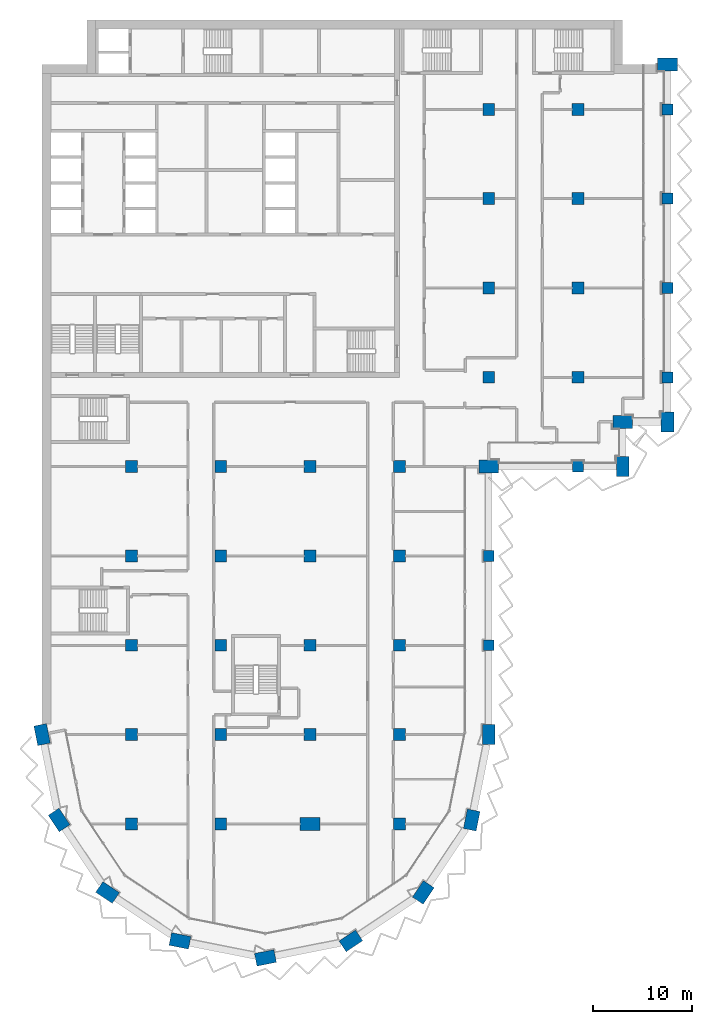
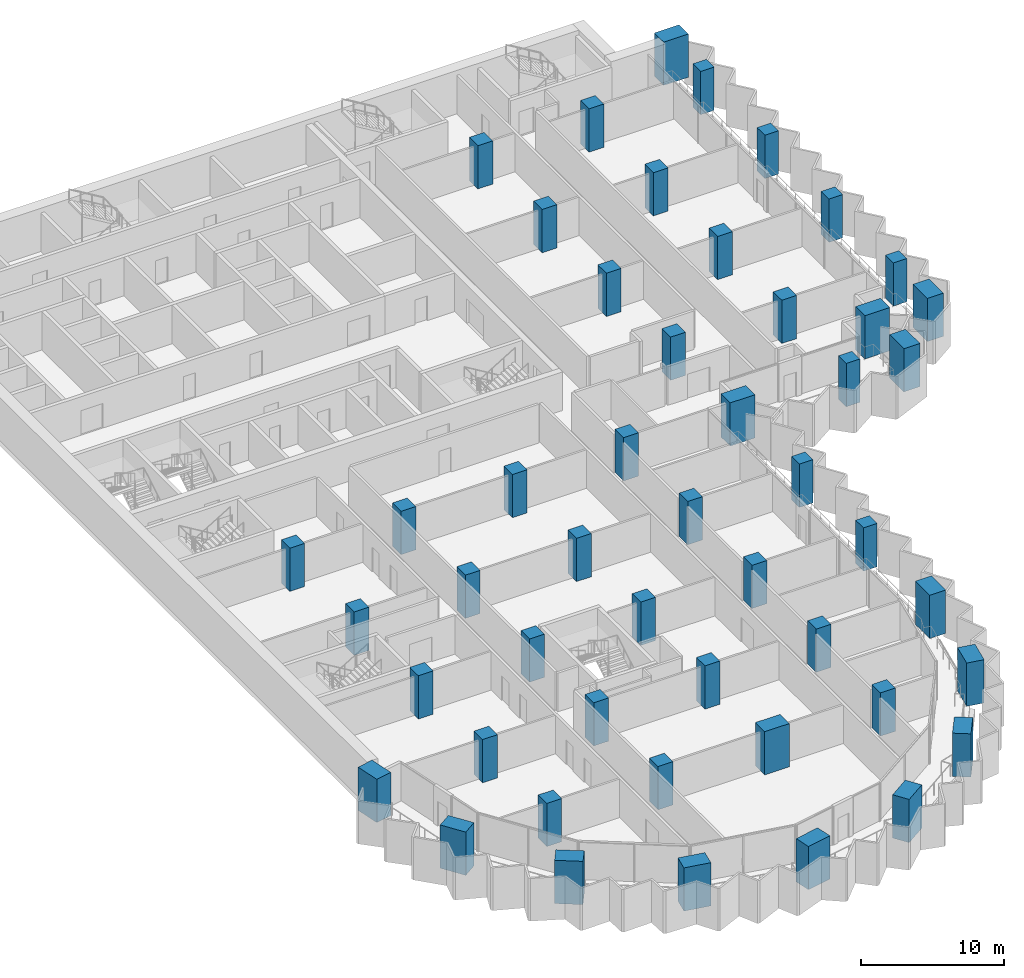
# One storey, part 1 of 22: 49 columns.
"""IFC4 building model written with IfcOpenShell, lengths in metres."""

from ifc_helpers import new_model, si_unit, direction, frame, origin, origin_2d, place, context, subcontext, project, spatial, rectangle, extrude, material, material_profile, profile_set, type_object, element, save


model = new_model("IFC4")

# Units and contexts
model_context = context("Model", 3, precision=1e-05, world=origin(), true_north=direction((0.0, 1.0)))
body_context = subcontext(model_context, "Body", "Model", "MODEL_VIEW")
ifc_project = project(units=[si_unit("LENGTHUNIT", "METRE"), si_unit("AREAUNIT", "SQUARE_METRE"), si_unit("VOLUMEUNIT", "CUBIC_METRE"), si_unit("PLANEANGLEUNIT", "RADIAN"), si_unit("MASSUNIT", "GRAM", prefix="KILO")], contexts=[model_context])

# Site, building, storey
site_placement = place(None, origin())
site = spatial("IfcSite", under=ifc_project, at=site_placement, CompositionType="ELEMENT")
building_placement = place(site_placement, origin())
building = spatial("IfcBuilding", under=site, at=building_placement, Name="Hunhe Ridgeline Campus", CompositionType="ELEMENT")
storey_placement = place(building_placement, frame((0.0, 0.0, 137.5)))
storey = spatial("IfcBuildingStorey", under=building, at=storey_placement, Name="L34", CompositionType="ELEMENT", Elevation=137.5)

# Columns
ifc_material = material(Name="Concrete C70", Category="concrete")
ifc_material_profile_1 = material_profile(ifc_material, rectangle(XDim=2.0, YDim=1.300048828125, at=origin_2d()))
ifc_profile_set_1 = profile_set([ifc_material_profile_1], Name="Concrete C70")
column_type_1 = type_object("IfcColumnType", Name="Megacolumn 2000x1300 Concrete C70", PredefinedType="COLUMN", material=ifc_profile_set_1)
for number, where, z_axis, x_axis, name in (
    (1, (22.5, 4.5, 0.0), (0.0, 0.0, 1.0), (0.980785280403, 0.195090322016, 0.0), "Column C9 R1 L34"),
    (2, (13.8896484375, 6.212646484375, 0.0), (0.0, 0.0, 1.0), (-0.980785280403, 0.195090322016, 0.0), "Column C9 R2 L34"),
    (3, (31.1103515625, 6.212646484375, 0.0), (0.0, 0.0, 1.0), (0.831469612303, 0.55557023302, 0.0), "Column C9 R3 L34"),
    (4, (6.590087890625, 11.090087890625, 0.0), (0.0, 0.0, 1.0), (-0.831469612303, 0.55557023302, 0.0), "Column C9 R4 L34"),
    (5, (38.409912109375, 11.090087890625, 0.0), (0.0, 0.0, 1.0), (0.55557023302, 0.831469612303, 0.0), "Column C9 R5 L34"),
    (6, (1.712646484375, 18.3896484375, 0.0), (0.0, 0.0, 1.0), (-0.55557023302, 0.831469612303, 0.0), "Column C9 R9 L34"),
    (7, (43.287353515625, 18.3896484375, 0.0), (0.0, 0.0, 1.0), (0.195090322016, 0.980785280403, 0.0), "Column C9 R10 L34"),
    (8, (0.0, 27.0, 0.0), (0.0, 0.0, 1.0), (-0.195090322016, 0.980785280403, 0.0), "Column C9 D1 L34"),
    (9, (45.0, 27.0, 0.0), (0.0, 0.0, 1.0), (0.0, 1.0, 0.0), "Column C9 D6 L34"),
    (10, (45.0, 54.0, 0.0), (0.0, 0.0, 1.0), (1.0, 0.0, 0.0), "Column C9 G6 L34"),
    (11, (58.5, 54.0, 0.0), (0.0, 0.0, 1.0), (0.0, 1.0, 0.0), "Column C9 R30 L34"),
    (12, (58.5, 58.5, 0.0), (0.0, 0.0, 1.0), (1.0, 0.0, 0.0), "Column C9 R35 L34"),
    (13, (63.0, 58.5, 0.0), (0.0, 0.0, 1.0), (0.0, 1.0, 0.0), "Column C9 R36 L34"),
    (14, (63.0, 94.5, 0.0), (0.0, 0.0, 1.0), (1.0, 0.0, 0.0), "Column C9 R42 L34"),
    (15, (27.0, 18.0, 0.0), (0.0, 0.0, 1.0), (1.0, 0.0, 0.0), "Column C9 C4 L34"),
):
    element("IfcColumn", number, at=place(storey_placement, frame(where, z_axis=z_axis, x_axis=x_axis)), inside=storey, type_object=column_type_1, Name=name, PredefinedType="COLUMN", context=body_context, shape_type="SweptSolid", body=[
        extrude(rectangle(XDim=2.0, YDim=1.300048828125, at=origin_2d()), origin(), (0.0, 0.0, 1.0), 3.699951171875),
    ])
ifc_material_profile_2 = material_profile(ifc_material, rectangle(XDim=1.10009765625, YDim=1.10009765625, at=origin_2d()))
ifc_profile_set_2 = profile_set([ifc_material_profile_2], Name="Concrete C70")
column_type_2 = type_object("IfcColumnType", Name="RC column 1100x1100 Concrete C70", PredefinedType="COLUMN", material=ifc_profile_set_2)
for number, where, z_axis, x_axis, name in (
    (16, (45.0, 36.0, 0.0), (0.0, 0.0, 1.0), (1.0, 0.0, 0.0), "Column C10 E6 L34"),
    (17, (45.0, 45.0, 0.0), (0.0, 0.0, 1.0), (1.0, 0.0, 0.0), "Column C10 F6 L34"),
    (18, (54.0, 54.0, 0.0), (0.0, 0.0, 1.0), (1.0, 0.0, 0.0), "Column C10 G7 L34"),
    (19, (63.0, 63.0, 0.0), (0.0, 0.0, 1.0), (1.0, 0.0, 0.0), "Column C10 H8 L34"),
    (20, (63.0, 72.0, 0.0), (0.0, 0.0, 1.0), (1.0, 0.0, 0.0), "Column C10 I8 L34"),
    (21, (63.0, 81.0, 0.0), (0.0, 0.0, 1.0), (1.0, 0.0, 0.0), "Column C10 J8 L34"),
    (22, (63.0, 90.0, 0.0), (0.0, 0.0, 1.0), (1.0, 0.0, 0.0), "Column C10 K8 L34"),
):
    element("IfcColumn", number, at=place(storey_placement, frame(where, z_axis=z_axis, x_axis=x_axis)), inside=storey, type_object=column_type_2, Name=name, PredefinedType="COLUMN", context=body_context, shape_type="SweptSolid", body=[
        extrude(rectangle(XDim=1.10009765625, YDim=1.10009765625, at=origin_2d()), origin(), (0.0, 0.0, 1.0), 3.699951171875),
    ])
ifc_material_profile_3 = material_profile(ifc_material, rectangle(XDim=1.199951171875, YDim=1.199951171875, at=origin_2d()))
ifc_profile_set_3 = profile_set([ifc_material_profile_3], Name="Concrete C70")
column_type_3 = type_object("IfcColumnType", Name="RC column 1200x1200 Concrete C70", PredefinedType="COLUMN", material=ifc_profile_set_3)
for number, where, z_axis, x_axis, name in (
    (23, (9.0, 18.0, 0.0), (0.0, 0.0, 1.0), (1.0, 0.0, 0.0), "Column C7 C2 L34"),
    (24, (9.0, 27.0, 0.0), (0.0, 0.0, 1.0), (1.0, 0.0, 0.0), "Column C7 D2 L34"),
    (25, (9.0, 36.0, 0.0), (0.0, 0.0, 1.0), (1.0, 0.0, 0.0), "Column C7 E2 L34"),
    (26, (9.0, 45.0, 0.0), (0.0, 0.0, 1.0), (1.0, 0.0, 0.0), "Column C7 F2 L34"),
    (27, (9.0, 54.0, 0.0), (0.0, 0.0, 1.0), (1.0, 0.0, 0.0), "Column C7 G2 L34"),
    (28, (18.0, 18.0, 0.0), (0.0, 0.0, 1.0), (1.0, 0.0, 0.0), "Column C7 C3 L34"),
    (29, (18.0, 27.0, 0.0), (0.0, 0.0, 1.0), (1.0, 0.0, 0.0), "Column C7 D3 L34"),
    (30, (18.0, 36.0, 0.0), (0.0, 0.0, 1.0), (1.0, 0.0, 0.0), "Column C7 E3 L34"),
    (31, (18.0, 45.0, 0.0), (0.0, 0.0, 1.0), (1.0, 0.0, 0.0), "Column C7 F3 L34"),
    (32, (18.0, 54.0, 0.0), (0.0, 0.0, 1.0), (1.0, 0.0, 0.0), "Column C7 G3 L34"),
    (33, (27.0, 27.0, 0.0), (0.0, 0.0, 1.0), (1.0, 0.0, 0.0), "Column C7 D4 L34"),
    (34, (27.0, 36.0, 0.0), (0.0, 0.0, 1.0), (1.0, 0.0, 0.0), "Column C7 E4 L34"),
    (35, (27.0, 45.0, 0.0), (0.0, 0.0, 1.0), (1.0, 0.0, 0.0), "Column C7 F4 L34"),
    (36, (27.0, 54.0, 0.0), (0.0, 0.0, 1.0), (1.0, 0.0, 0.0), "Column C7 G4 L34"),
    (37, (36.0, 18.0, 0.0), (0.0, 0.0, 1.0), (1.0, 0.0, 0.0), "Column C7 C5 L34"),
    (38, (36.0, 27.0, 0.0), (0.0, 0.0, 1.0), (1.0, 0.0, 0.0), "Column C7 D5 L34"),
    (39, (36.0, 36.0, 0.0), (0.0, 0.0, 1.0), (1.0, 0.0, 0.0), "Column C7 E5 L34"),
    (40, (36.0, 45.0, 0.0), (0.0, 0.0, 1.0), (1.0, 0.0, 0.0), "Column C7 F5 L34"),
    (41, (36.0, 54.0, 0.0), (0.0, 0.0, 1.0), (1.0, 0.0, 0.0), "Column C7 G5 L34"),
    (42, (45.0, 63.0, 0.0), (0.0, 0.0, 1.0), (1.0, 0.0, 0.0), "Column C7 H6 L34"),
    (43, (45.0, 72.0, 0.0), (0.0, 0.0, 1.0), (1.0, 0.0, 0.0), "Column C7 I6 L34"),
    (44, (45.0, 81.0, 0.0), (0.0, 0.0, 1.0), (1.0, 0.0, 0.0), "Column C7 J6 L34"),
    (45, (45.0, 90.0, 0.0), (0.0, 0.0, 1.0), (1.0, 0.0, 0.0), "Column C7 K6 L34"),
    (46, (54.0, 63.0, 0.0), (0.0, 0.0, 1.0), (1.0, 0.0, 0.0), "Column C7 H7 L34"),
    (47, (54.0, 72.0, 0.0), (0.0, 0.0, 1.0), (1.0, 0.0, 0.0), "Column C7 I7 L34"),
    (48, (54.0, 81.0, 0.0), (0.0, 0.0, 1.0), (1.0, 0.0, 0.0), "Column C7 J7 L34"),
    (49, (54.0, 90.0, 0.0), (0.0, 0.0, 1.0), (1.0, 0.0, 0.0), "Column C7 K7 L34"),
):
    element("IfcColumn", number, at=place(storey_placement, frame(where, z_axis=z_axis, x_axis=x_axis)), inside=storey, type_object=column_type_3, Name=name, PredefinedType="COLUMN", context=body_context, shape_type="SweptSolid", body=[
        extrude(rectangle(XDim=1.199951171875, YDim=1.199951171875, at=origin_2d()), origin(), (0.0, 0.0, 1.0), 3.699951171875),
    ])

save(model, "model.ifc")
